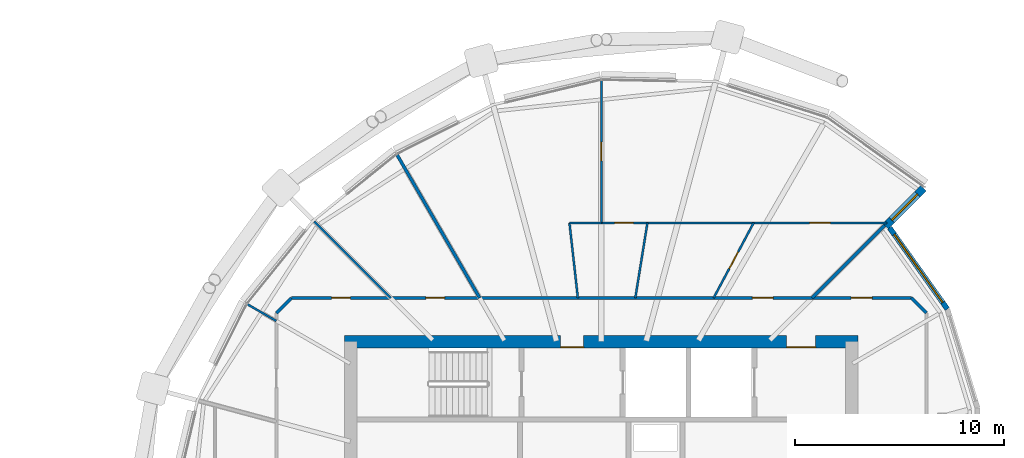
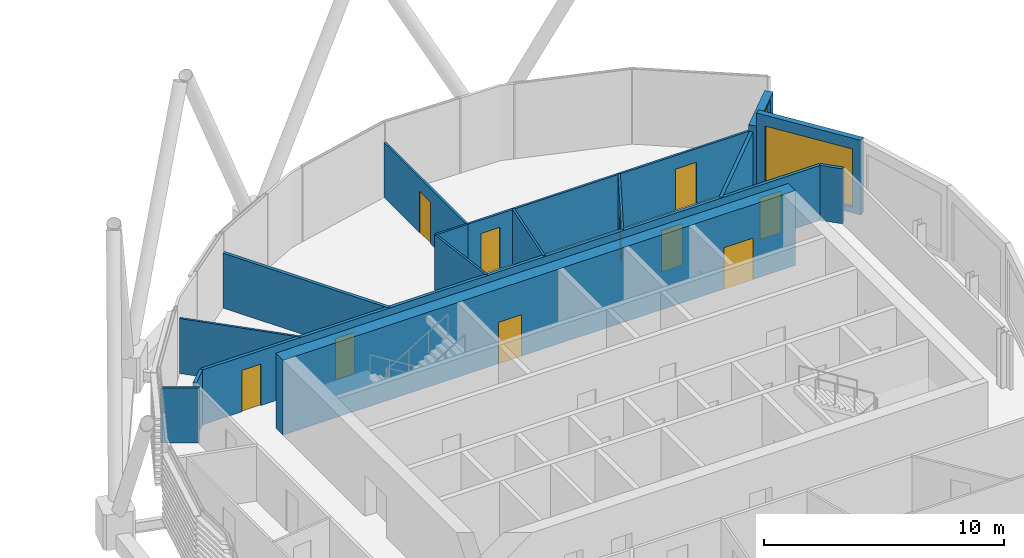
# One storey, part 28 of 35: 16 walls, 10 doors, 2 windows, 12 openings.
"""IFC4 building model written with IfcOpenShell, lengths in metres."""

from ifc_helpers import new_model, si_unit, direction, frame, frame_2d, origin, place, context, subcontext, project, spatial, rectangle, extrude, material, layer, layer_set, type_object, element, fill, save


model = new_model("IFC4")

# Units and contexts
model_context = context("Model", 3, precision=1e-05, world=origin(), true_north=direction((0.0, 1.0)))
body_context = subcontext(model_context, "Body", "Model", "MODEL_VIEW")
ifc_project = project(units=[si_unit("LENGTHUNIT", "METRE"), si_unit("AREAUNIT", "SQUARE_METRE"), si_unit("VOLUMEUNIT", "CUBIC_METRE"), si_unit("PLANEANGLEUNIT", "RADIAN"), si_unit("MASSUNIT", "GRAM", prefix="KILO")], contexts=[model_context])

# Site, building, storey
site_placement = place(None, origin())
site = spatial("IfcSite", under=ifc_project, at=site_placement, CompositionType="ELEMENT")
building_placement = place(site_placement, origin())
building = spatial("IfcBuilding", under=site, at=building_placement, Name="Rimbun Link Towers", CompositionType="ELEMENT")
storey_placement = place(building_placement, frame((0.0, 0.0, 181.699951171875)))
storey = spatial("IfcBuildingStorey", under=building, at=storey_placement, Name="L44", CompositionType="ELEMENT", Elevation=181.699951171875)

# Wall, opening, window
ifc_material_1 = material(Name="Dark enamelled glass spandrel on insulated aluminium backpan", Category="aluminium")
ifc_layer_1 = layer(ifc_material_1, 0.25)
ifc_layer_set_1 = layer_set([ifc_layer_1], Name="CS dark enamelled spandrel wall 250")
wall_type_1 = type_object("IfcWallType", Name="CS dark enamelled spandrel wall 250", PredefinedType="STANDARD", material=ifc_layer_set_1)
wall_1_placement = place(storey_placement, frame((45.563720703125, 13.460205078125, 0.0), z_axis=(0.0, 0.0, 1.0), x_axis=(0.579439349733, -0.815015361807, 0.0)))
wall_1 = element("IfcWall", 1, at=wall_1_placement, inside=storey, type_object=wall_type_1, Name="Crease spandrel wall", PredefinedType="STANDARD", context=body_context, shape_type="SweptSolid", body=[
    extrude(rectangle(XDim=4.77978515625, YDim=0.25, at=frame_2d((2.389892578125, 0.0))), origin(), (0.0, 0.0, 1.0), 3.800048828125),
])
opening_1_placement = place(wall_1_placement, frame((0.389892578125, 0.0, 0.300048828125)))
opening_1 = element("IfcOpeningElement", 2, at=opening_1_placement, cuts=wall_1, Name="Opening WR40H295", PredefinedType="OPENING", context=body_context, shape_type="SweptSolid", body=[
    extrude(rectangle(XDim=4.0, YDim=2.949951171875, at=frame_2d((2.0, 1.47509765625))), frame((0.0, 0.135009765625, 0.0), z_axis=(0.0, -1.0, 0.0), x_axis=(1.0, 0.0, 0.0)), (0.0, 0.0, 1.0), 0.27001953125),
])
ifc_material_2 = material(Name="Aluminium framed fixed window, dark tinted low-e glass", Category="aluminium")
window_type_1 = type_object("IfcWindowType", Name="WR ribbon window 4000X2950", PartitioningType="SINGLE_PANEL", PredefinedType="WINDOW", material=ifc_material_2)
window_1_placement = place(opening_1_placement, origin())
window_1 = element("IfcWindow", 3, at=window_1_placement, inside=storey, type_object=window_type_1, Name="Crease ribbon window", OverallHeight=2.949951171875, OverallWidth=4.0, PartitioningType="SINGLE_PANEL", PredefinedType="WINDOW", context=body_context, shape_type="SweptSolid", body=[
    extrude(rectangle(XDim=4.0, YDim=2.949951171875, at=frame_2d((2.0, 1.47509765625))), frame((0.0, 0.030029296875, 0.0), z_axis=(0.0, -1.0, 0.0), x_axis=(1.0, 0.0, 0.0)), (0.0, 0.0, 1.0), 0.06005859375),
])
fill(opening_1, window_1)

ifc_material_3 = material(Name="Dark enamelled glass spandrel on insulated aluminium backpan", Category="aluminium")
ifc_layer_2 = layer(ifc_material_3, 0.3701171875)
ifc_layer_set_2 = layer_set([ifc_layer_2], Name="CS dark enamelled spandrel wall 370")
wall_type_2 = type_object("IfcWallType", Name="CS dark enamelled spandrel wall 370", PredefinedType="STANDARD", material=ifc_layer_set_2)
wall_2_placement = place(storey_placement, frame((47.197509765625, 15.35546875, 0.0), z_axis=(0.0, 0.0, 1.0), x_axis=(-0.70715409354, -0.707059465667, 0.0)))
wall_2 = element("IfcWall", 4, at=wall_2_placement, inside=storey, type_object=wall_type_2, Name="Crease spandrel wall", PredefinedType="STANDARD", context=body_context, shape_type="SweptSolid", body=[
    extrude(rectangle(XDim=2.580078125, YDim=0.3701171875, at=frame_2d((1.2900390625, 0.0))), origin(), (0.0, 0.0, 1.0), 3.10693359375),
])
opening_2_placement = place(wall_2_placement, frame((0.4150390625, 0.0, 0.300048828125)))
opening_2 = element("IfcOpeningElement", 5, at=opening_2_placement, cuts=wall_2, Name="Opening WR18H270", PredefinedType="OPENING", context=body_context, shape_type="SweptSolid", body=[
    extrude(rectangle(XDim=1.75, YDim=2.699951171875, at=frame_2d((0.875, 1.35009765625))), frame((0.0, 0.195068359375, 0.0), z_axis=(0.0, -1.0, 0.0), x_axis=(1.0, 0.0, 0.0)), (0.0, 0.0, 1.0), 0.39013671875),
])
ifc_material_4 = material(Name="Aluminium framed fixed window, dark tinted low-e glass", Category="aluminium")
window_type_2 = type_object("IfcWindowType", Name="WR ribbon window 1750X2700", PartitioningType="SINGLE_PANEL", PredefinedType="WINDOW", material=ifc_material_4)
window_2_placement = place(opening_2_placement, origin())
window_2 = element("IfcWindow", 6, at=window_2_placement, inside=storey, type_object=window_type_2, Name="Crease ribbon window", OverallHeight=2.699951171875, OverallWidth=1.75, PartitioningType="SINGLE_PANEL", PredefinedType="WINDOW", context=body_context, shape_type="SweptSolid", body=[
    extrude(rectangle(XDim=1.75, YDim=2.699951171875, at=frame_2d((0.875, 1.35009765625))), frame((0.0, 0.030029296875, 0.0), z_axis=(0.0, -1.0, 0.0), x_axis=(1.0, 0.0, 0.0)), (0.0, 0.0, 1.0), 0.06005859375),
])
fill(opening_2, window_2)

# Wall, openings, doors
ifc_material_5 = material(Name="Concrete C60/75", Category="concrete")
ifc_layer_3 = layer(ifc_material_5, 0.60009765625)
ifc_layer_set_3 = layer_set([ifc_layer_3], Name="Core shear wall 600")
wall_type_3 = type_object("IfcWallType", Name="Core shear wall 600", PredefinedType="SHEAR", material=ifc_layer_set_3)
wall_3_placement = place(storey_placement, frame((19.449951171875, 8.0, 0.0), z_axis=(0.0, 0.0, 1.0), x_axis=(1.0, 0.0, 0.0)))
wall_3 = element("IfcWall", 7, at=wall_3_placement, inside=storey, type_object=wall_type_3, Name="L44 T2 core wall N", PredefinedType="SHEAR", context=body_context, shape_type="SweptSolid", body=[
    extrude(rectangle(XDim=24.60009765625, YDim=0.60009765625, at=frame_2d((12.300048828125, 0.0))), origin(), (0.0, 0.0, 1.0), 3.800048828125),
])
opening_3_placement = place(wall_3_placement, frame((10.35009765625, 0.0, 0.0)))
opening_3 = element("IfcOpeningElement", 8, at=opening_3_placement, cuts=wall_3, Name="Opening C2DCF01N", PredefinedType="OPENING", context=body_context, shape_type="SweptSolid", body=[
    extrude(rectangle(XDim=1.10009765625, YDim=2.10009765625, at=frame_2d((0.550048828125, 1.050048828125))), frame((0.0, 0.31005859375, 0.0), z_axis=(0.0, -1.0, 0.0), x_axis=(1.0, 0.0, 0.0)), (0.0, 0.0, 1.0), 0.6201171875),
])
opening_4_placement = place(wall_3_placement, frame((21.175048828125, 0.0, 0.0)))
opening_4 = element("IfcOpeningElement", 9, at=opening_4_placement, cuts=wall_3, Name="Opening C2DSL02N", PredefinedType="OPENING", context=body_context, shape_type="SweptSolid", body=[
    extrude(rectangle(XDim=1.39990234375, YDim=2.10009765625, at=frame_2d((0.699951171875, 1.050048828125))), frame((0.0, 0.31005859375, 0.0), z_axis=(0.0, -1.0, 0.0), x_axis=(1.0, 0.0, 0.0)), (0.0, 0.0, 1.0), 0.6201171875),
])
ifc_material_6 = material(Name="Steel fire door set", Category="steel")
door_type_1 = type_object("IfcDoorType", Name="Core fire door single", OperationType="SINGLE_SWING_LEFT", PredefinedType="DOOR", material=ifc_material_6)
door_1_placement = place(opening_3_placement, origin())
door_1 = element("IfcDoor", 10, at=door_1_placement, inside=storey, type_object=door_type_1, Name="L44 T2 firefighting lobby n door", OperationType="SINGLE_SWING_RIGHT", OverallHeight=2.10009765625, OverallWidth=1.10009765625, PredefinedType="DOOR", context=body_context, shape_type="SweptSolid", body=[
    extrude(rectangle(XDim=1.10009765625, YDim=2.10009765625, at=frame_2d((0.550048828125, 1.050048828125))), frame((0.0, -0.25, 0.0), z_axis=(0.0, -1.0, 0.0), x_axis=(1.0, 0.0, 0.0)), (0.0, 0.0, 1.0), 0.050048828125),
])
fill(opening_3, door_1)
ifc_material_7 = material(Name="Steel fire door set", Category="steel")
door_type_2 = type_object("IfcDoorType", Name="Service lobby door double", OperationType="DOUBLE_DOOR_SINGLE_SWING", PredefinedType="DOOR", material=ifc_material_7)
door_2_placement = place(opening_4_placement, origin())
door_2 = element("IfcDoor", 11, at=door_2_placement, inside=storey, type_object=door_type_2, Name="L44 T2 service lobby door", OperationType="DOUBLE_DOOR_SINGLE_SWING", OverallHeight=2.10009765625, OverallWidth=1.39990234375, PredefinedType="DOOR", context=body_context, shape_type="SweptSolid", body=[
    extrude(rectangle(XDim=1.39990234375, YDim=2.10009765625, at=frame_2d((0.699951171875, 1.050048828125))), frame((0.0, -0.25, 0.0), z_axis=(0.0, -1.0, 0.0), x_axis=(1.0, 0.0, 0.0)), (0.0, 0.0, 1.0), 0.050048828125),
])
fill(opening_4, door_2)

# Wall
ifc_material_8 = material(Name="Plasterboard on steel stud, mineral wool", Category="steel")
ifc_layer_4 = layer(ifc_material_8, 0.14990234375)
ifc_layer_set_4 = layer_set([ifc_layer_4], Name="Corridor wall EI 30 150 mm")
wall_type_4 = type_object("IfcWallType", Name="Corridor wall EI 30 150 mm", PredefinedType="PARTITIONING", material=ifc_layer_set_4)
wall_4_placement = place(storey_placement, frame((16.896240234375, 10.094970703125, 0.0), z_axis=(0.0, 0.0, 1.0), x_axis=(-0.707106781187, -0.707106781187, 0.0)))
element("IfcWall", 12, at=wall_4_placement, inside=storey, type_object=wall_type_4, Name="Corridor wall EI 30 150 mm", PredefinedType="PARTITIONING", context=body_context, shape_type="SweptSolid", body=[
    extrude(rectangle(XDim=1.02001953125, YDim=0.14990234375, at=frame_2d((0.510009765625, 0.0))), origin(), (0.0, 0.0, 1.0), 2.7890625),
])

# Wall, openings, doors
wall_5_placement = place(storey_placement, frame((16.896240234375, 10.094970703125, 0.0), z_axis=(0.0, 0.0, 1.0), x_axis=(1.0, 0.0, 0.0)))
wall_5 = element("IfcWall", 13, at=wall_5_placement, inside=storey, type_object=wall_type_4, Name="Corridor wall EI 30 150 mm", PredefinedType="PARTITIONING", context=body_context, shape_type="SweptSolid", body=[
    extrude(rectangle(XDim=29.70751953125, YDim=0.14990234375, at=frame_2d((14.853759765625, 0.0))), origin(), (0.0, 0.0, 1.0), 2.7890625),
])
opening_5_placement = place(wall_5_placement, frame((22.091796875, 0.0, 0.0)))
opening_5 = element("IfcOpeningElement", 14, at=opening_5_placement, cuts=wall_5, Name="Opening D01", PredefinedType="OPENING", context=body_context, shape_type="SweptSolid", body=[
    extrude(rectangle(XDim=1.0, YDim=2.10009765625, at=frame_2d((0.5, 1.050048828125))), frame((0.0, 0.0849609375, 0.0), z_axis=(0.0, -1.0, 0.0), x_axis=(1.0, 0.0, 0.0)), (0.0, 0.0, 1.0), 0.169921875),
])
opening_6_placement = place(wall_5_placement, frame((6.44189453125, 0.0, 0.0)))
opening_6 = element("IfcOpeningElement", 15, at=opening_6_placement, cuts=wall_5, Name="Opening D02", PredefinedType="OPENING", context=body_context, shape_type="SweptSolid", body=[
    extrude(rectangle(XDim=0.89990234375, YDim=2.10009765625, at=frame_2d((0.449951171875, 1.050048828125))), frame((0.0, 0.0849609375, 0.0), z_axis=(0.0, -1.0, 0.0), x_axis=(1.0, 0.0, 0.0)), (0.0, 0.0, 1.0), 0.169921875),
])
opening_7_placement = place(wall_5_placement, frame((1.92919921875, 0.0, 0.0)))
opening_7 = element("IfcOpeningElement", 16, at=opening_7_placement, cuts=wall_5, Name="Opening D02", PredefinedType="OPENING", context=body_context, shape_type="SweptSolid", body=[
    extrude(rectangle(XDim=0.89990234375, YDim=2.10009765625, at=frame_2d((0.449951171875, 1.050048828125))), frame((0.0, 0.0849609375, 0.0), z_axis=(0.0, -1.0, 0.0), x_axis=(1.0, 0.0, 0.0)), (0.0, 0.0, 1.0), 0.169921875),
])
opening_8_placement = place(wall_5_placement, frame((26.828125, 0.0, 0.0)))
opening_8 = element("IfcOpeningElement", 17, at=opening_8_placement, cuts=wall_5, Name="Opening D01", PredefinedType="OPENING", context=body_context, shape_type="SweptSolid", body=[
    extrude(rectangle(XDim=1.0, YDim=2.10009765625, at=frame_2d((0.5, 1.050048828125))), frame((0.0, 0.0849609375, 0.0), z_axis=(0.0, -1.0, 0.0), x_axis=(1.0, 0.0, 0.0)), (0.0, 0.0, 1.0), 0.169921875),
])
ifc_material_9 = material(Name="Fire-resisting timber door leaf", Category="wood")
door_type_3 = type_object("IfcDoorType", Name="Fire door FD30S 1000", OperationType="NOTDEFINED", PredefinedType="DOOR", material=ifc_material_9)
door_3_placement = place(opening_5_placement, origin())
door_3 = element("IfcDoor", 18, at=door_3_placement, inside=storey, type_object=door_type_3, Name="Fire door FD30S 1000 to Tenant lobby", OperationType="SINGLE_SWING_LEFT", OverallHeight=2.10009765625, OverallWidth=1.0, PredefinedType="DOOR", context=body_context, shape_type="SweptSolid", body=[
    extrude(rectangle(XDim=1.0, YDim=2.10009765625, at=frame_2d((0.5, 1.050048828125))), frame((0.0, 0.02490234375, 0.0), z_axis=(0.0, -1.0, 0.0), x_axis=(1.0, 0.0, 0.0)), (0.0, 0.0, 1.0), 0.050048828125),
])
fill(opening_5, door_3)
door_4_placement = place(opening_8_placement, origin())
door_4 = element("IfcDoor", 19, at=door_4_placement, inside=storey, type_object=door_type_3, Name="Fire door FD30S 1000 to Terrace office", OperationType="SINGLE_SWING_LEFT", OverallHeight=2.10009765625, OverallWidth=1.0, PredefinedType="DOOR", context=body_context, shape_type="SweptSolid", body=[
    extrude(rectangle(XDim=1.0, YDim=2.10009765625, at=frame_2d((0.5, 1.050048828125))), frame((0.0, 0.02490234375, 0.0), z_axis=(0.0, -1.0, 0.0), x_axis=(1.0, 0.0, 0.0)), (0.0, 0.0, 1.0), 0.050048828125),
])
fill(opening_8, door_4)
ifc_material_10 = material(Name="Fire-resisting timber door leaf", Category="wood")
door_type_4 = type_object("IfcDoorType", Name="Fire door FD30S 900", OperationType="NOTDEFINED", PredefinedType="DOOR", material=ifc_material_10)
door_5_placement = place(opening_6_placement, origin())
door_5 = element("IfcDoor", 20, at=door_5_placement, inside=storey, type_object=door_type_4, Name="Fire door FD30S 900 to Cellular office", OperationType="SINGLE_SWING_RIGHT", OverallHeight=2.10009765625, OverallWidth=0.89990234375, PredefinedType="DOOR", context=body_context, shape_type="SweptSolid", body=[
    extrude(rectangle(XDim=0.89990234375, YDim=2.10009765625, at=frame_2d((0.449951171875, 1.050048828125))), frame((0.0, 0.02490234375, 0.0), z_axis=(0.0, -1.0, 0.0), x_axis=(1.0, 0.0, 0.0)), (0.0, 0.0, 1.0), 0.050048828125),
])
fill(opening_6, door_5)
door_6_placement = place(opening_7_placement, origin())
door_6 = element("IfcDoor", 21, at=door_6_placement, inside=storey, type_object=door_type_4, Name="Fire door FD30S 900 to Meeting room", OperationType="SINGLE_SWING_LEFT", OverallHeight=2.10009765625, OverallWidth=0.89990234375, PredefinedType="DOOR", context=body_context, shape_type="SweptSolid", body=[
    extrude(rectangle(XDim=0.89990234375, YDim=2.10009765625, at=frame_2d((0.449951171875, 1.050048828125))), frame((0.0, 0.02490234375, 0.0), z_axis=(0.0, -1.0, 0.0), x_axis=(1.0, 0.0, 0.0)), (0.0, 0.0, 1.0), 0.050048828125),
])
fill(opening_7, door_6)

# Wall
wall_6_placement = place(storey_placement, frame((47.324951171875, 9.373779296875, 0.0), z_axis=(0.0, 0.0, 1.0), x_axis=(-0.707106781187, 0.707106781187, 0.0)))
element("IfcWall", 22, at=wall_6_placement, inside=storey, type_object=wall_type_4, Name="Corridor wall EI 30 150 mm", PredefinedType="PARTITIONING", context=body_context, shape_type="SweptSolid", body=[
    extrude(rectangle(XDim=1.02001953125, YDim=0.14990234375, at=frame_2d((0.510009765625, 0.0))), origin(), (0.0, 0.0, 1.0), 2.7890625),
])

# Wall, opening, door
ifc_material_11 = material(Name="Plasterboard on steel stud", Category="steel")
ifc_layer_5 = layer(ifc_material_11, 0.10009765625)
ifc_layer_set_5 = layer_set([ifc_layer_5], Name="Plasterboard partition 100 mm")
wall_type_5 = type_object("IfcWallType", Name="Plasterboard partition 100 mm", PredefinedType="PARTITIONING", material=ifc_layer_set_5)
wall_7_placement = place(storey_placement, frame((37.130859375, 10.094970703125, 0.0), z_axis=(0.0, 0.0, 1.0), x_axis=(0.470377006272, 0.882465564184, 0.0)))
wall_7 = element("IfcWall", 23, at=wall_7_placement, inside=storey, type_object=wall_type_5, Name="Plasterboard partition 100 mm", PredefinedType="PARTITIONING", context=body_context, shape_type="SweptSolid", body=[
    extrude(rectangle(XDim=4.07958984375, YDim=0.10009765625, at=frame_2d((2.039794921875, 0.0))), origin(), (0.0, 0.0, 1.0), 2.7890625),
])
opening_9_placement = place(wall_7_placement, frame((1.58984375, 0.0, 0.0)))
opening_9 = element("IfcOpeningElement", 24, at=opening_9_placement, cuts=wall_7, Name="Opening D04", PredefinedType="OPENING", context=body_context, shape_type="SweptSolid", body=[
    extrude(rectangle(XDim=0.89990234375, YDim=2.10009765625, at=frame_2d((0.449951171875, 1.050048828125))), frame((0.0, 0.06005859375, 0.0), z_axis=(0.0, -1.0, 0.0), x_axis=(1.0, 0.0, 0.0)), (0.0, 0.0, 1.0), 0.1201171875),
])
ifc_material_12 = material(Name="Timber door leaf", Category="wood")
door_type_5 = type_object("IfcDoorType", Name="Flush door 900", OperationType="NOTDEFINED", PredefinedType="DOOR", material=ifc_material_12)
door_7_placement = place(opening_9_placement, origin())
door_7 = element("IfcDoor", 25, at=door_7_placement, inside=storey, type_object=door_type_5, Name="Flush door 900 to Huddle room", OperationType="SINGLE_SWING_RIGHT", OverallHeight=2.10009765625, OverallWidth=0.89990234375, PredefinedType="DOOR", context=body_context, shape_type="SweptSolid", body=[
    extrude(rectangle(XDim=0.89990234375, YDim=2.10009765625, at=frame_2d((0.449951171875, 1.050048828125))), frame((0.0, 0.02490234375, 0.0), z_axis=(0.0, -1.0, 0.0), x_axis=(1.0, 0.0, 0.0)), (0.0, 0.0, 1.0), 0.050048828125),
])
fill(opening_9, door_7)

# Wall, openings, doors
wall_8_placement = place(storey_placement, frame((31.75, 13.695068359375, 0.0), z_axis=(0.0, 0.0, 1.0), x_axis=(1.0, 0.0, 0.0)))
wall_8 = element("IfcWall", 26, at=wall_8_placement, inside=storey, type_object=wall_type_5, Name="Plasterboard partition 100 mm", PredefinedType="PARTITIONING", context=body_context, shape_type="SweptSolid", body=[
    extrude(rectangle(XDim=13.695068359375, YDim=0.10009765625, at=frame_2d((6.84765625, 0.0))), origin(), (0.0, 0.0, 1.0), 2.7890625),
])
opening_10_placement = place(wall_8_placement, frame((9.98046875, 0.0, 0.0)))
opening_10 = element("IfcOpeningElement", 27, at=opening_10_placement, cuts=wall_8, Name="Opening D03", PredefinedType="OPENING", context=body_context, shape_type="SweptSolid", body=[
    extrude(rectangle(XDim=1.0, YDim=2.10009765625, at=frame_2d((0.5, 1.050048828125))), frame((0.0, 0.06005859375, 0.0), z_axis=(0.0, -1.0, 0.0), x_axis=(1.0, 0.0, 0.0)), (0.0, 0.0, 1.0), 0.1201171875),
])
opening_11_placement = place(wall_8_placement, frame((0.639892578125, 0.0, 0.0)))
opening_11 = element("IfcOpeningElement", 28, at=opening_11_placement, cuts=wall_8, Name="Opening D04", PredefinedType="OPENING", context=body_context, shape_type="SweptSolid", body=[
    extrude(rectangle(XDim=0.89990234375, YDim=2.10009765625, at=frame_2d((0.449951171875, 1.050048828125))), frame((0.0, 0.06005859375, 0.0), z_axis=(0.0, -1.0, 0.0), x_axis=(1.0, 0.0, 0.0)), (0.0, 0.0, 1.0), 0.1201171875),
])
ifc_material_13 = material(Name="Timber door leaf", Category="wood")
door_type_6 = type_object("IfcDoorType", Name="Flush door 1000", OperationType="NOTDEFINED", PredefinedType="DOOR", material=ifc_material_13)
door_8_placement = place(opening_10_placement, origin())
door_8 = element("IfcDoor", 29, at=door_8_placement, inside=storey, type_object=door_type_6, Name="Flush door 1000 to Open office", OperationType="SINGLE_SWING_LEFT", OverallHeight=2.10009765625, OverallWidth=1.0, PredefinedType="DOOR", context=body_context, shape_type="SweptSolid", body=[
    extrude(rectangle(XDim=1.0, YDim=2.10009765625, at=frame_2d((0.5, 1.050048828125))), frame((0.0, 0.02490234375, 0.0), z_axis=(0.0, -1.0, 0.0), x_axis=(1.0, 0.0, 0.0)), (0.0, 0.0, 1.0), 0.050048828125),
])
fill(opening_10, door_8)
door_9_placement = place(opening_11_placement, origin())
door_9 = element("IfcDoor", 30, at=door_9_placement, inside=storey, type_object=door_type_5, Name="Flush door 900 to Huddle room", OperationType="SINGLE_SWING_RIGHT", OverallHeight=2.10009765625, OverallWidth=0.89990234375, PredefinedType="DOOR", context=body_context, shape_type="SweptSolid", body=[
    extrude(rectangle(XDim=0.89990234375, YDim=2.10009765625, at=frame_2d((0.449951171875, 1.050048828125))), frame((0.0, 0.02490234375, 0.0), z_axis=(0.0, -1.0, 0.0), x_axis=(1.0, 0.0, 0.0)), (0.0, 0.0, 1.0), 0.050048828125),
])
fill(opening_11, door_9)

# Walls
wall_9_placement = place(storey_placement, frame((33.959716796875, 13.695068359375, 0.0), z_axis=(0.0, 0.0, 1.0), x_axis=(-0.159272431746, -0.98723466941, 0.0)))
element("IfcWall", 31, at=wall_9_placement, inside=storey, type_object=wall_type_5, Name="Plasterboard partition 100 mm", PredefinedType="PARTITIONING", context=body_context, shape_type="SweptSolid", body=[
    extrude(rectangle(XDim=3.646728515625, YDim=0.10009765625, at=frame_2d((1.8232421875, 0.0))), origin(), (0.0, 0.0, 1.0), 2.7890625),
])
wall_10_placement = place(storey_placement, frame((30.2236328125, 13.695068359375, 0.0), z_axis=(0.0, 0.0, 1.0), x_axis=(0.110801382398, -0.993842569856, 0.0)))
element("IfcWall", 32, at=wall_10_placement, inside=storey, type_object=wall_type_5, Name="Plasterboard partition 100 mm", PredefinedType="PARTITIONING", context=body_context, shape_type="SweptSolid", body=[
    extrude(rectangle(XDim=3.622314453125, YDim=0.10009765625, at=frame_2d((1.81103515625, 0.0))), origin(), (0.0, 0.0, 1.0), 2.7890625),
])
wall_11_placement = place(storey_placement, frame((31.75, 13.695068359375, 0.0), z_axis=(0.0, 0.0, 1.0), x_axis=(-1.0, 0.0, 0.0)))
element("IfcWall", 33, at=wall_11_placement, inside=storey, type_object=wall_type_5, Name="Plasterboard partition 100 mm", PredefinedType="PARTITIONING", context=body_context, shape_type="SweptSolid", body=[
    extrude(rectangle(XDim=1.5263671875, YDim=0.10009765625, at=frame_2d((0.76318359375, 0.0))), origin(), (0.0, 0.0, 1.0), 2.7890625),
])

# Wall, opening, door
wall_12_placement = place(storey_placement, frame((31.75, 13.695068359375, 0.0), z_axis=(0.0, 0.0, 1.0), x_axis=(0.0, 1.0, 0.0)))
wall_12 = element("IfcWall", 34, at=wall_12_placement, inside=storey, type_object=wall_type_5, Name="Plasterboard partition 100 mm", PredefinedType="PARTITIONING", context=body_context, shape_type="SweptSolid", body=[
    extrude(rectangle(XDim=6.839111328125, YDim=0.10009765625, at=frame_2d((3.41943359375, 0.0))), origin(), (0.0, 0.0, 1.0), 2.7890625),
])
opening_12_placement = place(wall_12_placement, frame((2.969482421875, 0.0, 0.0)))
opening_12 = element("IfcOpeningElement", 35, at=opening_12_placement, cuts=wall_12, Name="Opening D04", PredefinedType="OPENING", context=body_context, shape_type="SweptSolid", body=[
    extrude(rectangle(XDim=0.89990234375, YDim=2.10009765625, at=frame_2d((0.449951171875, 1.050048828125))), frame((0.0, 0.06005859375, 0.0), z_axis=(0.0, -1.0, 0.0), x_axis=(1.0, 0.0, 0.0)), (0.0, 0.0, 1.0), 0.1201171875),
])
door_10_placement = place(opening_12_placement, origin())
door_10 = element("IfcDoor", 36, at=door_10_placement, inside=storey, type_object=door_type_5, Name="Flush door 900 to Project room", OperationType="SINGLE_SWING_RIGHT", OverallHeight=2.10009765625, OverallWidth=0.89990234375, PredefinedType="DOOR", context=body_context, shape_type="SweptSolid", body=[
    extrude(rectangle(XDim=0.89990234375, YDim=2.10009765625, at=frame_2d((0.449951171875, 1.050048828125))), frame((0.0, 0.02490234375, 0.0), z_axis=(0.0, -1.0, 0.0), x_axis=(1.0, 0.0, 0.0)), (0.0, 0.0, 1.0), 0.050048828125),
])
fill(opening_12, door_10)

# Walls
wall_13_placement = place(storey_placement, frame((17.986083984375, 13.763916015625, 0.0), z_axis=(0.0, 0.0, 1.0), x_axis=(0.707106781187, -0.707106781187, 0.0)))
element("IfcWall", 37, at=wall_13_placement, inside=storey, type_object=wall_type_5, Name="Plasterboard partition 100 mm", PredefinedType="PARTITIONING", context=body_context, shape_type="SweptSolid", body=[
    extrude(rectangle(XDim=5.188720703125, YDim=0.10009765625, at=frame_2d((2.59423828125, 0.0))), origin(), (0.0, 0.0, 1.0), 2.7890625),
])
wall_14_placement = place(storey_placement, frame((14.777099609375, 9.79931640625, 0.0), z_axis=(0.0, 0.0, 1.0), x_axis=(0.866019355129, -0.500010476433, 0.0)))
element("IfcWall", 38, at=wall_14_placement, inside=storey, type_object=wall_type_5, Name="Plasterboard partition 100 mm", PredefinedType="PARTITIONING", context=body_context, shape_type="SweptSolid", body=[
    extrude(rectangle(XDim=1.6142578125, YDim=0.10009765625, at=frame_2d((0.80712890625, 0.0))), origin(), (0.0, 0.0, 1.0), 2.7890625),
])
ifc_material_14 = material(Name="Plasterboard on steel stud, mineral wool", Category="steel")
ifc_layer_6 = layer(ifc_material_14, 0.14990234375)
ifc_layer_set_6 = layer_set([ifc_layer_6], Name="Tenancy separation wall EI 60 150 mm")
wall_type_6 = type_object("IfcWallType", Name="Tenancy separation wall EI 60 150 mm", PredefinedType="PARTITIONING", material=ifc_layer_set_6)
wall_15_placement = place(storey_placement, frame((41.844970703125, 10.094970703125, 0.0), z_axis=(0.0, 0.0, 1.0), x_axis=(0.707106781187, 0.707106781187, 0.0)))
element("IfcWall", 39, at=wall_15_placement, inside=storey, type_object=wall_type_6, Name="Tenancy separation wall EI 60 150 mm", PredefinedType="PARTITIONING", context=body_context, shape_type="SweptSolid", body=[
    extrude(rectangle(XDim=4.924560546875, YDim=0.14990234375, at=frame_2d((2.46240234375, 0.0))), origin(), (0.0, 0.0, 1.0), 2.7890625),
])
wall_16_placement = place(storey_placement, frame((25.921630859375, 10.094970703125, 0.0), z_axis=(0.0, 0.0, 1.0), x_axis=(-0.499997422768, 0.866026891745, 0.0)))
element("IfcWall", 40, at=wall_16_placement, inside=storey, type_object=wall_type_6, Name="Tenancy separation wall EI 60 150 mm", PredefinedType="PARTITIONING", context=body_context, shape_type="SweptSolid", body=[
    extrude(rectangle(XDim=7.94189453125, YDim=0.14990234375, at=frame_2d((3.970947265625, 0.0))), origin(), (0.0, 0.0, 1.0), 2.7890625),
])

save(model, "model.ifc")
